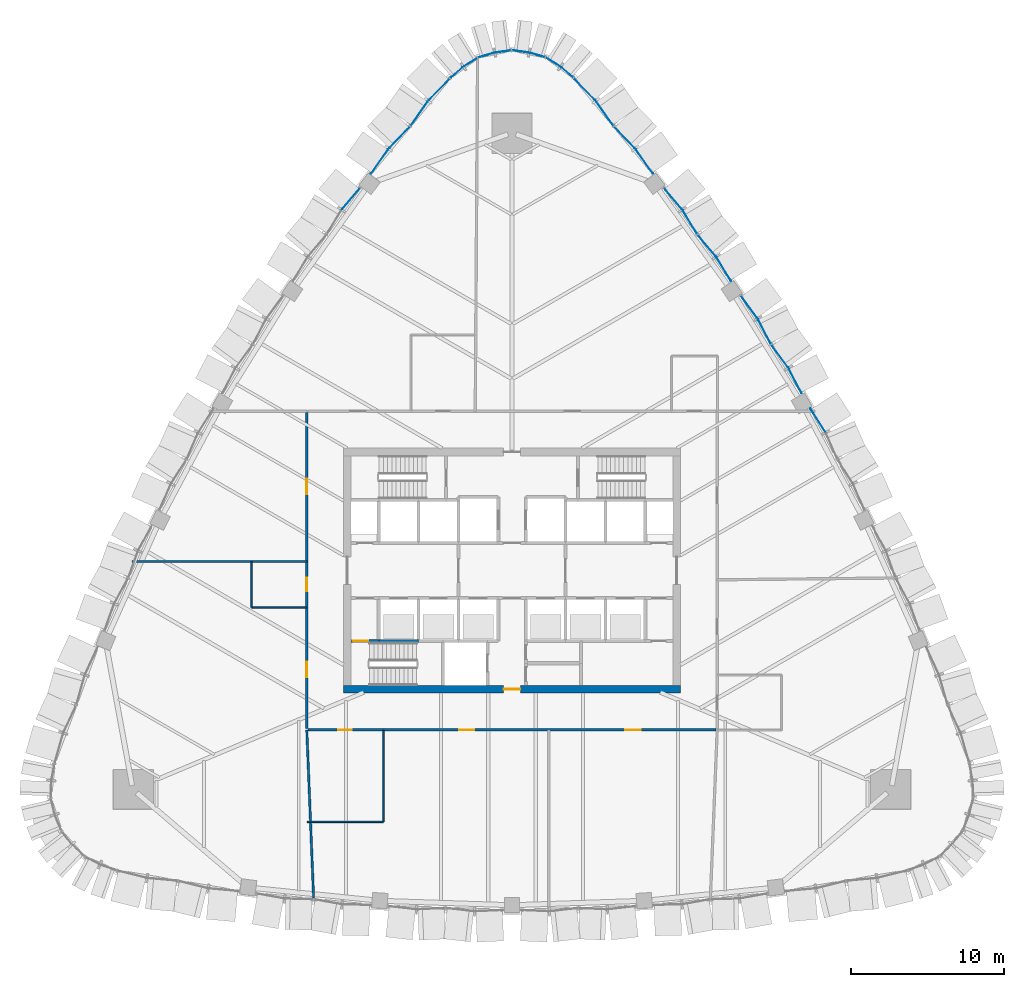
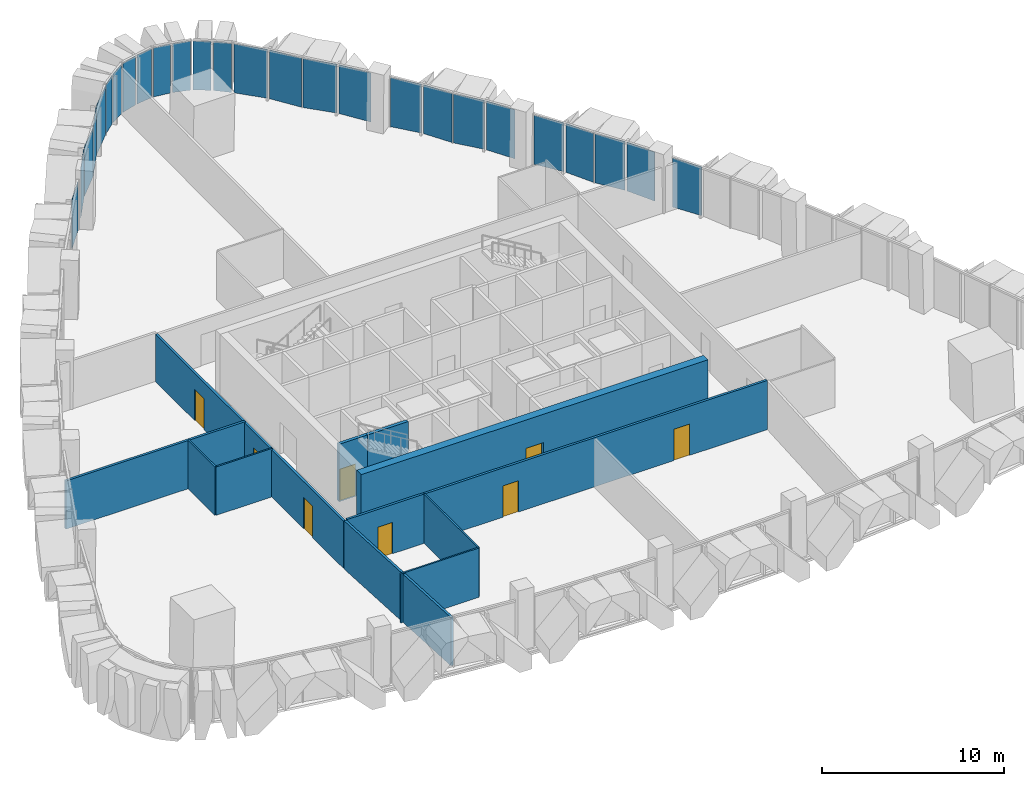
# One storey, part 11 of 18: 26 plates, 11 walls, 8 doors, 8 openings, 10 elements without a shape of their own.
"""IFC4 building model written with IfcOpenShell, lengths in metres."""

from ifc_helpers import new_model, si_unit, direction, frame, frame_2d, origin, place, context, subcontext, project, spatial, polyline, rectangle, outline, extrude, material, layer, layer_set, type_object, element, fill, aggregate, save


model = new_model("IFC4")

# Units and contexts
model_context = context("Model", 3, precision=1e-05, world=origin(), true_north=direction((0.0, 1.0)))
body_context = subcontext(model_context, "Body", "Model", "MODEL_VIEW")
ifc_project = project(units=[si_unit("LENGTHUNIT", "METRE"), si_unit("AREAUNIT", "SQUARE_METRE"), si_unit("VOLUMEUNIT", "CUBIC_METRE"), si_unit("PLANEANGLEUNIT", "RADIAN"), si_unit("MASSUNIT", "GRAM", prefix="KILO")], contexts=[model_context])

# Site, building, storey
site_placement = place(None, origin())
site = spatial("IfcSite", under=ifc_project, at=site_placement, CompositionType="ELEMENT")
building_placement = place(site_placement, origin())
building = spatial("IfcBuilding", under=site, at=building_placement, Name="Sierra Prisma Convention Tower", CompositionType="ELEMENT")
storey_placement = place(building_placement, frame((0.0, 0.0, 137.800048828125)))
storey = spatial("IfcBuildingStorey", under=building, at=storey_placement, Name="L29", CompositionType="ELEMENT", Elevation=137.800048828125)

# Curtain wall, plate
ifc_material_1 = material(Name="Aluminium and glass curtain wall", Category="aluminium")
ifc_layer_1 = layer(ifc_material_1, 0.179931640625)
ifc_layer_set_1 = layer_set([ifc_layer_1], Name="CW-2 Faceted crystal curtain wall")
curtain_wall_type = type_object("IfcCurtainWallType", Name="CW-2 Faceted crystal curtain wall", PredefinedType="NOTDEFINED", material=ifc_layer_set_1)
curtain_wall_1_placement = place(storey_placement, origin())
curtain_wall_1 = element("IfcCurtainWall", 1, at=curtain_wall_1_placement, inside=storey, type_object=curtain_wall_type, Name="CW-2 NE3 L29", PredefinedType="NOTDEFINED")
ifc_material_2 = material(Name="Tinted glass bronze-grey IGU", Category="glass")
ifc_layer_2 = layer(ifc_material_2, 0.028076171875)
ifc_layer_set_2 = layer_set([ifc_layer_2], Name="CW-2 crystal pane")
plate_type = type_object("IfcPlateType", Name="CW-2 crystal pane", PredefinedType="CURTAIN_PANEL", material=ifc_layer_set_2)
plate_1_placement = place(storey_placement, frame((19.492919921875, 10.596435546875, 0.0), z_axis=(0.84266723776, 0.538434700224, 0.0), x_axis=(0.538434700224, -0.84266723776, 0.0)))
plate_1 = element("IfcPlate", 2, at=plate_1_placement, type_object=plate_type, Name="CW-2 pane NE3.2.2", PredefinedType="CURTAIN_PANEL", context=body_context, shape_type="SweptSolid", body=[
    extrude(outline(polyline([(0.0, 0.0), (1.8023708055414207, 0.0), (1.8023708055414207, -3.280029296875), (0.0, -3.280029296875), (0.0, 0.0)])), origin(), (0.0, 0.0, -1.0), 0.028076171875),
])
aggregate(curtain_wall_1, [plate_1])

# Curtain wall, plates
curtain_wall_2_placement = place(storey_placement, origin())
curtain_wall_2 = element("IfcCurtainWall", 3, at=curtain_wall_2_placement, inside=storey, type_object=curtain_wall_type, Name="CW-2 NE4 L29", PredefinedType="NOTDEFINED")
plate_2_placement = place(storey_placement, frame((18.923095703125, 11.5830078125, 0.0), z_axis=(0.887664319648, 0.460491102655, 0.0), x_axis=(-0.460491102655, 0.887664319648, 0.0)))
plate_2 = element("IfcPlate", 4, at=plate_2_placement, type_object=plate_type, Name="CW-2 pane NE4.1.1", PredefinedType="CURTAIN_PANEL", context=body_context, shape_type="SweptSolid", body=[
    extrude(outline(polyline([(0.0, 0.0), (1.802593188476052, 0.0), (1.802593188476052, 3.280029296875), (0.0, 3.280029296875), (0.0, 0.0)])), origin(), (0.0, 0.0, -1.0), 0.028076171875),
])
plate_3_placement = place(storey_placement, frame((16.954345703125, 14.743408203125, 0.0), z_axis=(0.80464032763, 0.593762530943, 0.0), x_axis=(0.593762530943, -0.80464032763, 0.0)))
plate_3 = element("IfcPlate", 5, at=plate_3_placement, type_object=plate_type, Name="CW-2 pane NE4.1.2", PredefinedType="CURTAIN_PANEL", context=body_context, shape_type="SweptSolid", body=[
    extrude(outline(polyline([(0.0, 0.0), (1.8025935356695917, 0.0), (1.8025935356695917, -3.280029296875), (0.0, -3.280029296875), (0.0, 0.0)])), origin(), (0.0, 0.0, -1.0), 0.028076171875),
])
plate_4_placement = place(storey_placement, frame((16.91748046875, 14.802978515625, 0.0), z_axis=(0.887635594443, 0.460546470488, 0.0), x_axis=(-0.460546470488, 0.887635594443, 0.0)))
plate_4 = element("IfcPlate", 6, at=plate_4_placement, type_object=plate_type, Name="CW-2 pane NE4.2.1", PredefinedType="CURTAIN_PANEL", context=body_context, shape_type="SweptSolid", body=[
    extrude(outline(polyline([(0.0, 0.0), (1.8023764770605468, 0.0), (1.8023764770605468, 3.280029296875), (0.0, 3.280029296875), (0.0, 0.0)])), origin(), (0.0, 0.0, -1.0), 0.028076171875),
])
plate_5_placement = place(storey_placement, frame((14.94873046875, 17.96337890625, 0.0), z_axis=(0.804705035883, 0.59367483122, 0.0), x_axis=(0.59367483122, -0.804705035883, 0.0)))
plate_5 = element("IfcPlate", 7, at=plate_5_placement, type_object=plate_type, Name="CW-2 pane NE4.2.2", PredefinedType="CURTAIN_PANEL", context=body_context, shape_type="SweptSolid", body=[
    extrude(outline(polyline([(0.0, 0.0), (1.802448584819288, 0.0), (1.802448584819288, -3.280029296875), (0.0, -3.280029296875), (0.0, 0.0)])), origin(), (0.0, 0.0, -1.0), 0.028076171875),
])
aggregate(curtain_wall_2, [plate_2, plate_3, plate_4, plate_5])

curtain_wall_3_placement = place(storey_placement, origin())
curtain_wall_3 = element("IfcCurtainWall", 8, at=curtain_wall_3_placement, inside=storey, type_object=curtain_wall_type, Name="CW-2 NE5 L29", PredefinedType="NOTDEFINED")
plate_6_placement = place(storey_placement, frame((14.3076171875, 18.920166015625, 0.0), z_axis=(0.854841383406, 0.518889399792, 0.0), x_axis=(-0.518889399792, 0.854841383406, 0.0)))
plate_6 = element("IfcPlate", 9, at=plate_6_placement, type_object=plate_type, Name="CW-2 pane NE5.1.1", PredefinedType="CURTAIN_PANEL", context=body_context, shape_type="SweptSolid", body=[
    extrude(outline(polyline([(0.0, 0.0), (1.7949807507112405, 0.0), (1.7949807507112405, 3.280029296875), (0.0, 3.280029296875), (0.0, 0.0)])), origin(), (0.0, 0.0, -1.0), 0.028076171875),
])
plate_7_placement = place(storey_placement, frame((12.140625, 21.92919921875, 0.0), z_axis=(0.763112755323, 0.646265365515, 0.0), x_axis=(0.646265365515, -0.763112755323, 0.0)))
plate_7 = element("IfcPlate", 10, at=plate_7_placement, type_object=plate_type, Name="CW-2 pane NE5.1.2", PredefinedType="CURTAIN_PANEL", context=body_context, shape_type="SweptSolid", body=[
    extrude(outline(polyline([(0.0, 0.0), (1.7947923117481683, 0.0), (1.7947923117481683, -3.280029296875001), (0.0, -3.280029296875001), (0.0, 0.0)])), origin(), (0.0, 0.0, -1.0), 0.028076171875),
])
plate_8_placement = place(storey_placement, frame((12.099853515625, 21.986083984375, 0.0), z_axis=(0.854804756047, 0.518949736525, 0.0), x_axis=(-0.518949736525, 0.854804756047, 0.0)))
plate_8 = element("IfcPlate", 11, at=plate_8_placement, type_object=plate_type, Name="CW-2 pane NE5.2.1", PredefinedType="CURTAIN_PANEL", context=body_context, shape_type="SweptSolid", body=[
    extrude(outline(polyline([(0.0, 0.0), (1.7947720536724734, 0.0), (1.7947720536724734, 3.280029296875001), (0.0, 3.280029296875001), (0.0, 0.0)])), origin(), (0.0, 0.0, -1.0), 0.028076171875),
])
plate_9_placement = place(storey_placement, frame((9.932861328125, 24.9951171875, 0.0), z_axis=(0.763112755323, 0.646265365515, 0.0), x_axis=(0.646265365515, -0.763112755323, 0.0)))
plate_9 = element("IfcPlate", 12, at=plate_9_placement, type_object=plate_type, Name="CW-2 pane NE5.2.2", PredefinedType="CURTAIN_PANEL", context=body_context, shape_type="SweptSolid", body=[
    extrude(outline(polyline([(0.0, 0.0), (1.7947923117481683, 0.0), (1.7947923117481683, -3.280029296875001), (0.0, -3.280029296875001), (0.0, 0.0)])), origin(), (0.0, 0.0, -1.0), 0.028076171875),
])
aggregate(curtain_wall_3, [plate_6, plate_7, plate_8, plate_9])

curtain_wall_4_placement = place(storey_placement, origin())
curtain_wall_4 = element("IfcCurtainWall", 13, at=curtain_wall_4_placement, inside=storey, type_object=curtain_wall_type, Name="CW-2 NE6 L29", PredefinedType="NOTDEFINED")
plate_10_placement = place(storey_placement, frame((9.211181640625, 25.931884765625, 0.0), z_axis=(0.818143470413, 0.57501414054, 0.0), x_axis=(-0.57501414054, 0.818143470413, 0.0)))
plate_10 = element("IfcPlate", 14, at=plate_10_placement, type_object=plate_type, Name="CW-2 pane NE6.1.1", PredefinedType="CURTAIN_PANEL", context=body_context, shape_type="SweptSolid", body=[
    extrude(outline(polyline([(0.0, 0.0), (1.9309987080607742, 0.0), (1.9309987080607742, 3.280029296875), (0.0, 3.280029296875), (0.0, 0.0)])), origin(), (0.0, 0.0, -1.0), 0.028076171875),
])
plate_11_placement = place(storey_placement, frame((6.674560546875, 28.998291015625, 0.0), z_axis=(0.718145438355, 0.69589304449, 0.0), x_axis=(0.69589304449, -0.718145438355, 0.0)))
plate_11 = element("IfcPlate", 15, at=plate_11_placement, type_object=plate_type, Name="CW-2 pane NE6.1.2", PredefinedType="CURTAIN_PANEL", context=body_context, shape_type="SweptSolid", body=[
    extrude(outline(polyline([(0.0, 0.0), (1.930972023127617, 0.0), (1.930972023127617, -3.280029296875), (0.0, -3.280029296875), (0.0, 0.0)])), origin(), (0.0, 0.0, -1.0), 0.028076171875),
])
plate_12_placement = place(storey_placement, frame((6.6298828125, 29.05224609375, 0.0), z_axis=(0.818143470413, 0.57501414054, 0.0), x_axis=(-0.57501414054, 0.818143470413, 0.0)))
plate_12 = element("IfcPlate", 16, at=plate_12_placement, type_object=plate_type, Name="CW-2 pane NE6.2.1", PredefinedType="CURTAIN_PANEL", context=body_context, shape_type="SweptSolid", body=[
    extrude(outline(polyline([(0.0, 0.0), (1.9309987080607742, 0.0), (1.9309987080607742, 3.280029296875), (0.0, 3.280029296875), (0.0, 0.0)])), origin(), (0.0, 0.0, -1.0), 0.028076171875),
])
plate_13_placement = place(storey_placement, frame((4.093017578125, 32.11865234375, 0.0), z_axis=(0.718082255229, 0.695958242084, 0.0), x_axis=(0.695958242084, -0.718082255229, 0.0)))
plate_13 = element("IfcPlate", 17, at=plate_13_placement, type_object=plate_type, Name="CW-2 pane NE6.2.2", PredefinedType="CURTAIN_PANEL", context=body_context, shape_type="SweptSolid", body=[
    extrude(outline(polyline([(0.0, 0.0), (1.931141926849473, 0.0), (1.931141926849473, -3.280029296875), (0.0, -3.280029296875), (0.0, 0.0)])), origin(), (0.0, 0.0, -1.0), 0.028076171875),
])
aggregate(curtain_wall_4, [plate_10, plate_11, plate_12, plate_13])

curtain_wall_5_placement = place(storey_placement, origin())
curtain_wall_5 = element("IfcCurtainWall", 18, at=curtain_wall_5_placement, inside=storey, type_object=curtain_wall_type, Name="CW-2 N1 L29", PredefinedType="NOTDEFINED")
plate_14_placement = place(storey_placement, frame((3.9921875, 32.214111328125, 0.0), z_axis=(0.654170740155, 0.756346906337, 0.0), x_axis=(-0.756346906337, 0.654170740155, 0.0)))
plate_14 = element("IfcPlate", 19, at=plate_14_placement, type_object=plate_type, Name="CW-2 pane N1.1.1", PredefinedType="CURTAIN_PANEL", context=body_context, shape_type="SweptSolid", body=[
    extrude(outline(polyline([(0.0, 0.0), (1.003551672870488, 0.0), (1.003551672870488, 3.280029296875), (0.0, 3.280029296875), (0.0, 0.0)])), origin(), (0.0, 0.0, -1.0), 0.028076171875),
])
plate_15_placement = place(storey_placement, frame((2.2763671875, 33.47705078125, 0.0), z_axis=(0.527744380763, 0.84940324262, 0.0), x_axis=(0.84940324262, -0.527744380763, 0.0)))
plate_15 = element("IfcPlate", 20, at=plate_15_placement, type_object=plate_type, Name="CW-2 pane N1.1.2", PredefinedType="CURTAIN_PANEL", context=body_context, shape_type="SweptSolid", body=[
    extrude(outline(polyline([(0.0, 0.0), (1.0034043656886633, 0.0), (1.0034043656886633, -3.280029296875), (0.0, -3.280029296875), (0.0, 0.0)])), origin(), (0.0, 0.0, -1.0), 0.028076171875),
])
aggregate(curtain_wall_5, [plate_14, plate_15])

curtain_wall_6_placement = place(storey_placement, origin())
curtain_wall_6 = element("IfcCurtainWall", 21, at=curtain_wall_6_placement, inside=storey, type_object=curtain_wall_type, Name="CW-2 N2 L29", PredefinedType="NOTDEFINED")
plate_16_placement = place(storey_placement, frame((2.151611328125, 33.533447265625, 0.0), z_axis=(0.285852154203, 0.958273732259, 0.0), x_axis=(-0.958273732259, 0.285852154203, 0.0)))
plate_16 = element("IfcPlate", 22, at=plate_16_placement, type_object=plate_type, Name="CW-2 pane N2.1.1", PredefinedType="CURTAIN_PANEL", context=body_context, shape_type="SweptSolid", body=[
    extrude(outline(polyline([(0.0, 0.0), (1.0035440704483747, 0.0), (1.0035440704483747, 3.280029296875), (0.0, 3.280029296875), (0.0, 0.0)])), origin(), (0.0, 0.0, -1.0), 0.028076171875),
])
plate_17_placement = place(storey_placement, frame((0.068359375, 33.980712890625, 0.0), z_axis=(0.132562016831, 0.991174713002, 0.0), x_axis=(0.991174713002, -0.132562016831, 0.0)))
plate_17 = element("IfcPlate", 23, at=plate_17_placement, type_object=plate_type, Name="CW-2 pane N2.1.2", PredefinedType="CURTAIN_PANEL", context=body_context, shape_type="SweptSolid", body=[
    extrude(outline(polyline([(0.0, 0.0), (1.0037312633433095, 0.0), (1.0037312633433095, -3.280029296875), (0.0, -3.280029296875), (0.0, 0.0)])), origin(), (0.0, 0.0, -1.0), 0.028076171875),
])
aggregate(curtain_wall_6, [plate_16, plate_17])

curtain_wall_7_placement = place(storey_placement, origin())
curtain_wall_7 = element("IfcCurtainWall", 24, at=curtain_wall_7_placement, inside=storey, type_object=curtain_wall_type, Name="CW-2 N3 L29", PredefinedType="NOTDEFINED")
plate_18_placement = place(storey_placement, frame((-0.068359375, 33.980712890625, 0.0), z_axis=(-0.132562016831, 0.991174713002, 0.0), x_axis=(-0.991174713002, -0.132562016831, 0.0)))
plate_18 = element("IfcPlate", 25, at=plate_18_placement, type_object=plate_type, Name="CW-2 pane N3.1.1", PredefinedType="CURTAIN_PANEL", context=body_context, shape_type="SweptSolid", body=[
    extrude(outline(polyline([(0.0, 0.0), (1.0037312633433095, 0.0), (1.0037312633433095, 3.280029296875), (0.0, 3.280029296875), (0.0, 0.0)])), origin(), (0.0, 0.0, -1.0), 0.028076171875),
])
plate_19_placement = place(storey_placement, frame((-2.151611328125, 33.533447265625, 0.0), z_axis=(-0.285852154203, 0.958273732259, 0.0), x_axis=(0.958273732259, 0.285852154203, 0.0)))
plate_19 = element("IfcPlate", 26, at=plate_19_placement, type_object=plate_type, Name="CW-2 pane N3.1.2", PredefinedType="CURTAIN_PANEL", context=body_context, shape_type="SweptSolid", body=[
    extrude(outline(polyline([(0.0, 0.0), (1.0035440704483747, 0.0), (1.0035440704483747, -3.280029296875), (0.0, -3.280029296875), (0.0, 0.0)])), origin(), (0.0, 0.0, -1.0), 0.028076171875),
])
aggregate(curtain_wall_7, [plate_18, plate_19])

curtain_wall_8_placement = place(storey_placement, origin())
curtain_wall_8 = element("IfcCurtainWall", 27, at=curtain_wall_8_placement, inside=storey, type_object=curtain_wall_type, Name="CW-2 N4 L29", PredefinedType="NOTDEFINED")
plate_20_placement = place(storey_placement, frame((-2.2763671875, 33.47705078125, 0.0), z_axis=(-0.527744380763, 0.84940324262, 0.0), x_axis=(-0.84940324262, -0.527744380763, 0.0)))
plate_20 = element("IfcPlate", 28, at=plate_20_placement, type_object=plate_type, Name="CW-2 pane N4.1.1", PredefinedType="CURTAIN_PANEL", context=body_context, shape_type="SweptSolid", body=[
    extrude(outline(polyline([(0.0, 0.0), (1.0034043656886633, 0.0), (1.0034043656886633, 3.280029296875), (0.0, 3.280029296875), (0.0, 0.0)])), origin(), (0.0, 0.0, -1.0), 0.028076171875),
])
plate_21_placement = place(storey_placement, frame((-3.9921875, 32.214111328125, 0.0), z_axis=(-0.654170740155, 0.756346906337, 0.0), x_axis=(0.756346906337, 0.654170740155, 0.0)))
plate_21 = element("IfcPlate", 29, at=plate_21_placement, type_object=plate_type, Name="CW-2 pane N4.1.2", PredefinedType="CURTAIN_PANEL", context=body_context, shape_type="SweptSolid", body=[
    extrude(outline(polyline([(0.0, 0.0), (1.003551672870488, 0.0), (1.003551672870488, -3.280029296875), (0.0, -3.280029296875), (0.0, 0.0)])), origin(), (0.0, 0.0, -1.0), 0.028076171875),
])
aggregate(curtain_wall_8, [plate_20, plate_21])

curtain_wall_9_placement = place(storey_placement, origin())
curtain_wall_9 = element("IfcCurtainWall", 30, at=curtain_wall_9_placement, inside=storey, type_object=curtain_wall_type, Name="CW-2 NW1 L29", PredefinedType="NOTDEFINED")
plate_22_placement = place(storey_placement, frame((-4.093017578125, 32.11865234375, 0.0), z_axis=(-0.718082255229, 0.695958242084, 0.0), x_axis=(-0.695958242084, -0.718082255229, 0.0)))
plate_22 = element("IfcPlate", 31, at=plate_22_placement, type_object=plate_type, Name="CW-2 pane NW1.1.1", PredefinedType="CURTAIN_PANEL", context=body_context, shape_type="SweptSolid", body=[
    extrude(outline(polyline([(0.0, 0.0), (1.931141926849473, 0.0), (1.931141926849473, 3.280029296875), (0.0, 3.280029296875), (0.0, 0.0)])), origin(), (0.0, 0.0, -1.0), 0.028076171875),
])
plate_23_placement = place(storey_placement, frame((-6.6298828125, 29.05224609375, 0.0), z_axis=(-0.818143470413, 0.57501414054, 0.0), x_axis=(0.57501414054, 0.818143470413, 0.0)))
plate_23 = element("IfcPlate", 32, at=plate_23_placement, type_object=plate_type, Name="CW-2 pane NW1.1.2", PredefinedType="CURTAIN_PANEL", context=body_context, shape_type="SweptSolid", body=[
    extrude(outline(polyline([(0.0, 0.0), (1.9309987080607742, 0.0), (1.9309987080607742, -3.280029296875), (0.0, -3.280029296875), (0.0, 0.0)])), origin(), (0.0, 0.0, -1.0), 0.028076171875),
])
plate_24_placement = place(storey_placement, frame((-6.674560546875, 28.998291015625, 0.0), z_axis=(-0.718145438355, 0.69589304449, 0.0), x_axis=(-0.69589304449, -0.718145438355, 0.0)))
plate_24 = element("IfcPlate", 33, at=plate_24_placement, type_object=plate_type, Name="CW-2 pane NW1.2.1", PredefinedType="CURTAIN_PANEL", context=body_context, shape_type="SweptSolid", body=[
    extrude(outline(polyline([(0.0, 0.0), (1.930972023127617, 0.0), (1.930972023127617, 3.280029296875), (0.0, 3.280029296875), (0.0, 0.0)])), origin(), (0.0, 0.0, -1.0), 0.028076171875),
])
plate_25_placement = place(storey_placement, frame((-9.211181640625, 25.931884765625, 0.0), z_axis=(-0.818143470413, 0.57501414054, 0.0), x_axis=(0.57501414054, 0.818143470413, 0.0)))
plate_25 = element("IfcPlate", 34, at=plate_25_placement, type_object=plate_type, Name="CW-2 pane NW1.2.2", PredefinedType="CURTAIN_PANEL", context=body_context, shape_type="SweptSolid", body=[
    extrude(outline(polyline([(0.0, 0.0), (1.9309987080607742, 0.0), (1.9309987080607742, -3.280029296875), (0.0, -3.280029296875), (0.0, 0.0)])), origin(), (0.0, 0.0, -1.0), 0.028076171875),
])
aggregate(curtain_wall_9, [plate_22, plate_23, plate_24, plate_25])

# Curtain wall, plate
curtain_wall_10_placement = place(storey_placement, origin())
curtain_wall_10 = element("IfcCurtainWall", 35, at=curtain_wall_10_placement, inside=storey, type_object=curtain_wall_type, Name="CW-2 NW2 L29", PredefinedType="NOTDEFINED")
plate_26_placement = place(storey_placement, frame((-9.933837890625, 24.99365234375, 0.0), z_axis=(-0.763123029213, 0.646253233868, 0.0), x_axis=(-0.646253233868, -0.763123029213, 0.0)))
plate_26 = element("IfcPlate", 36, at=plate_26_placement, type_object=plate_type, Name="CW-2 pane NW2.1.1", PredefinedType="CURTAIN_PANEL", context=body_context, shape_type="SweptSolid", body=[
    extrude(outline(polyline([(0.0, 0.0), (1.7944482255196408, 0.0), (1.7944482255196408, 3.280029296875), (0.0, 3.280029296875), (0.0, 0.0)])), origin(), (0.0, 0.0, -1.0), 0.028076171875),
])
aggregate(curtain_wall_10, [plate_26])

# Walls
ifc_material_3 = material(Name="Gypsum board partition", Category="gypsum")
ifc_layer_3 = layer(ifc_material_3, 0.10009765625)
ifc_layer_set_3 = layer_set([ifc_layer_3], Name="Bathroom partition 100")
wall_type_1 = type_object("IfcWallType", Name="Bathroom partition 100", PredefinedType="PARTITIONING", material=ifc_layer_set_3)
wall_1_placement = place(storey_placement, frame((-13.429931640625, -2.39990234375, 0.0), z_axis=(0.0, 0.0, 1.0), x_axis=(-1.0, 0.0, 0.0)))
element("IfcWall", 37, at=wall_1_placement, inside=storey, type_object=wall_type_1, Name="Partition L29 bath 1", PredefinedType="PARTITIONING", context=body_context, shape_type="SweptSolid", body=[
    extrude(rectangle(XDim=3.570068359375, YDim=0.10009765625, at=frame_2d((1.78515625, 0.0))), origin(), (0.0, 0.0, 1.0), 3.2470703125),
])
wall_2_placement = place(storey_placement, frame((-17.0, -2.39990234375, 0.0), z_axis=(0.0, 0.0, 1.0), x_axis=(0.0, 1.0, 0.0)))
element("IfcWall", 38, at=wall_2_placement, inside=storey, type_object=wall_type_1, Name="Partition L29 bath 2", PredefinedType="PARTITIONING", context=body_context, shape_type="SweptSolid", body=[
    extrude(rectangle(XDim=2.969970703125, YDim=0.10009765625, at=frame_2d((1.48486328125, 0.0))), origin(), (0.0, 0.0, 1.0), 3.2470703125),
])
wall_3_placement = place(storey_placement, frame((-8.39990234375, -10.429931640625, 0.0), z_axis=(0.0, 0.0, 1.0), x_axis=(0.0, -1.0, 0.0)))
element("IfcWall", 39, at=wall_3_placement, inside=storey, type_object=wall_type_1, Name="Partition L29 bath 3", PredefinedType="PARTITIONING", context=body_context, shape_type="SweptSolid", body=[
    extrude(rectangle(XDim=5.969970703125, YDim=0.10009765625, at=frame_2d((2.98486328125, 0.0))), origin(), (0.0, 0.0, 1.0), 3.300048828125),
])
wall_4_placement = place(storey_placement, frame((-8.39990234375, -16.39990234375, 0.0), z_axis=(0.0, 0.0, 1.0), x_axis=(-1.0, 0.0, 0.0)))
element("IfcWall", 40, at=wall_4_placement, inside=storey, type_object=wall_type_1, Name="Partition L29 bath 4", PredefinedType="PARTITIONING", context=body_context, shape_type="SweptSolid", body=[
    extrude(rectangle(XDim=4.97021484375, YDim=0.10009765625, at=frame_2d((2.485107421875, 0.0))), origin(), (0.0, 0.0, 1.0), 3.300048828125),
])

# Wall, opening, door
ifc_material_4 = material(Name="Concrete C30/37", Category="concrete")
ifc_layer_4 = layer(ifc_material_4, 0.199951171875)
ifc_layer_set_4 = layer_set([ifc_layer_4], Name="Core wall RC 200 C30/37")
wall_type_2 = type_object("IfcWallType", Name="Core wall RC 200 C30/37", PredefinedType="SOLIDWALL", material=ifc_layer_set_4)
wall_5_placement = place(storey_placement, frame((-10.5, -4.60009765625, 0.0), z_axis=(0.0, 0.0, 1.0), x_axis=(1.0, 0.0, 0.0)))
wall_5 = element("IfcWall", 41, at=wall_5_placement, inside=storey, type_object=wall_type_2, Name="Core wall L29 1", PredefinedType="SOLIDWALL", context=body_context, shape_type="SweptSolid", body=[
    extrude(rectangle(XDim=1.800048828125, YDim=0.199951171875, at=frame_2d((0.89990234375, 0.0))), origin(), (0.0, 0.0, 1.0), 3.849853515625),
])
opening_1_placement = place(wall_5_placement, frame((0.10009765625, 0.0, 0.0)))
opening_1 = element("IfcOpeningElement", 42, at=opening_1_placement, cuts=wall_5, Name="Opening L29-D017", PredefinedType="OPENING", context=body_context, shape_type="SweptSolid", body=[
    extrude(rectangle(XDim=1.0, YDim=2.10009765625, at=frame_2d((0.5, 1.050048828125))), frame((0.0, 0.10009765625, 0.0), z_axis=(0.0, -1.0, 0.0), x_axis=(1.0, 0.0, 0.0)), (0.0, 0.0, 1.0), 0.199951171875),
])
ifc_material_5 = material(Name="Steel fire door leaf", Category="steel")
door_type_1 = type_object("IfcDoorType", Name="Door 1000x2100 FD90S", OperationType="SINGLE_SWING_LEFT", PredefinedType="DOOR", material=ifc_material_5)
door_1_placement = place(opening_1_placement, origin())
door_1 = element("IfcDoor", 43, at=door_1_placement, inside=storey, type_object=door_type_1, Name="Door L29 30", OperationType="SINGLE_SWING_LEFT", OverallHeight=2.10009765625, OverallWidth=1.0, PredefinedType="DOOR", context=body_context, shape_type="SweptSolid", body=[
    extrude(rectangle(XDim=1.0, YDim=2.10009765625, at=frame_2d((0.5, 1.050048828125))), frame((0.0, 0.02490234375, 0.0), z_axis=(0.0, -1.0, 0.0), x_axis=(1.0, 0.0, 0.0)), (0.0, 0.0, 1.0), 0.050048828125),
])
fill(opening_1, door_1)

# Wall
wall_6_placement = place(storey_placement, frame((-8.699951171875, -4.60009765625, 0.0), z_axis=(0.0, 0.0, 1.0), x_axis=(1.0, 0.0, 0.0)))
element("IfcWall", 44, at=wall_6_placement, inside=storey, type_object=wall_type_2, Name="Core wall L29 5", PredefinedType="SOLIDWALL", context=body_context, shape_type="SweptSolid", body=[
    extrude(rectangle(XDim=2.599853515625, YDim=0.199951171875, at=frame_2d((1.2998046875, 0.0))), origin(), (0.0, 0.0, 1.0), 3.849853515625),
])

# Wall, opening, door
ifc_material_6 = material(Name="Concrete C60/75", Category="concrete")
ifc_layer_5 = layer(ifc_material_6, 0.5)
ifc_layer_set_5 = layer_set([ifc_layer_5], Name="Core wall RC 500 C60/75")
wall_type_3 = type_object("IfcWallType", Name="Core wall RC 500 C60/75", PredefinedType="SHEAR", material=ifc_layer_set_5)
wall_7_placement = place(storey_placement, frame((-11.0, -7.75, 0.0), z_axis=(0.0, 0.0, 1.0), x_axis=(1.0, 0.0, 0.0)))
wall_7 = element("IfcWall", 45, at=wall_7_placement, inside=storey, type_object=wall_type_3, Name="Core wall S L29", PredefinedType="SHEAR", context=body_context, shape_type="SweptSolid", body=[
    extrude(rectangle(XDim=22.0, YDim=0.5, at=frame_2d((11.0, 0.0))), origin(), (0.0, 0.0, 1.0), 4.0),
])
opening_2_placement = place(wall_7_placement, frame((10.449951171875, 0.0, 0.0)))
opening_2 = element("IfcOpeningElement", 46, at=opening_2_placement, cuts=wall_7, Name="Opening L29-D039", PredefinedType="OPENING", context=body_context, shape_type="SweptSolid", body=[
    extrude(rectangle(XDim=1.10009765625, YDim=2.10009765625, at=frame_2d((0.550048828125, 1.050048828125))), frame((0.0, 0.25, 0.0), z_axis=(0.0, -1.0, 0.0), x_axis=(1.0, 0.0, 0.0)), (0.0, 0.0, 1.0), 0.5),
])
ifc_material_7 = material(Name="Steel fire door leaf", Category="steel")
door_type_2 = type_object("IfcDoorType", Name="Door 1100x2100 FD30S", OperationType="SINGLE_SWING_LEFT", PredefinedType="DOOR", material=ifc_material_7)
door_2_placement = place(opening_2_placement, origin())
door_2 = element("IfcDoor", 47, at=door_2_placement, inside=storey, type_object=door_type_2, Name="Door L29 40", OperationType="SINGLE_SWING_RIGHT", OverallHeight=2.10009765625, OverallWidth=1.10009765625, PredefinedType="DOOR", context=body_context, shape_type="SweptSolid", body=[
    extrude(rectangle(XDim=1.10009765625, YDim=2.10009765625, at=frame_2d((0.550048828125, 1.050048828125))), frame((0.0, 0.02490234375, 0.0), z_axis=(0.0, -1.0, 0.0), x_axis=(1.0, 0.0, 0.0)), (0.0, 0.0, 1.0), 0.050048828125),
])
fill(opening_2, door_2)

# Wall, openings, doors
ifc_material_8 = material(Name="Gypsum board partition", Category="gypsum")
ifc_layer_6 = layer(ifc_material_8, 0.14990234375)
ifc_layer_set_6 = layer_set([ifc_layer_6], Name="Corridor wall 150 gypsum EI 60")
wall_type_4 = type_object("IfcWallType", Name="Corridor wall 150 gypsum EI 60", PredefinedType="PARTITIONING", material=ifc_layer_set_6)
wall_8_placement = place(storey_placement, frame((-13.39990234375, 10.320068359375, 0.0), z_axis=(0.0, 0.0, 1.0), x_axis=(0.0, -1.0, 0.0)))
wall_8 = element("IfcWall", 48, at=wall_8_placement, inside=storey, type_object=wall_type_4, Name="Partition L29 corr 1", PredefinedType="PARTITIONING", context=body_context, shape_type="SweptSolid", body=[
    extrude(rectangle(XDim=20.64013671875, YDim=0.14990234375, at=frame_2d((10.320068359375, 0.0))), origin(), (0.0, 0.0, 1.0), 3.166015625),
])
opening_3_placement = place(wall_8_placement, frame((4.320068359375, 0.0, 0.0)))
opening_3 = element("IfcOpeningElement", 49, at=opening_3_placement, cuts=wall_8, Name="Opening L29-D029", PredefinedType="OPENING", context=body_context, shape_type="SweptSolid", body=[
    extrude(rectangle(XDim=1.0, YDim=2.10009765625, at=frame_2d((0.5, 1.050048828125))), frame((0.0, 0.074951171875, 0.0), z_axis=(0.0, -1.0, 0.0), x_axis=(1.0, 0.0, 0.0)), (0.0, 0.0, 1.0), 0.14990234375),
])
opening_4_placement = place(wall_8_placement, frame((10.77001953125, 0.0, 0.0)))
opening_4 = element("IfcOpeningElement", 50, at=opening_4_placement, cuts=wall_8, Name="Opening L29-D030", PredefinedType="OPENING", context=body_context, shape_type="SweptSolid", body=[
    extrude(rectangle(XDim=0.89990234375, YDim=2.10009765625, at=frame_2d((0.449951171875, 1.050048828125))), frame((0.0, 0.074951171875, 0.0), z_axis=(0.0, -1.0, 0.0), x_axis=(1.0, 0.0, 0.0)), (0.0, 0.0, 1.0), 0.14990234375),
])
opening_5_placement = place(wall_8_placement, frame((16.280029296875, 0.0, 0.0)))
opening_5 = element("IfcOpeningElement", 51, at=opening_5_placement, cuts=wall_8, Name="Opening L29-D031", PredefinedType="OPENING", context=body_context, shape_type="SweptSolid", body=[
    extrude(rectangle(XDim=1.0, YDim=2.10009765625, at=frame_2d((0.5, 1.050048828125))), frame((0.0, 0.074951171875, 0.0), z_axis=(0.0, -1.0, 0.0), x_axis=(1.0, 0.0, 0.0)), (0.0, 0.0, 1.0), 0.14990234375),
])
ifc_material_9 = material(Name="Steel fire door leaf", Category="steel")
door_type_3 = type_object("IfcDoorType", Name="Door 1000x2100 FD30S", OperationType="SINGLE_SWING_LEFT", PredefinedType="DOOR", material=ifc_material_9)
door_3_placement = place(opening_3_placement, origin())
door_3 = element("IfcDoor", 52, at=door_3_placement, inside=storey, type_object=door_type_3, Name="Door L29 6", OperationType="SINGLE_SWING_LEFT", OverallHeight=2.10009765625, OverallWidth=1.0, PredefinedType="DOOR", context=body_context, shape_type="SweptSolid", body=[
    extrude(rectangle(XDim=1.0, YDim=2.10009765625, at=frame_2d((0.5, 1.050048828125))), frame((0.0, 0.02490234375, 0.0), z_axis=(0.0, -1.0, 0.0), x_axis=(1.0, 0.0, 0.0)), (0.0, 0.0, 1.0), 0.050048828125),
])
fill(opening_3, door_3)
door_4_placement = place(opening_5_placement, origin())
door_4 = element("IfcDoor", 53, at=door_4_placement, inside=storey, type_object=door_type_3, Name="Door L29 8", OperationType="SINGLE_SWING_RIGHT", OverallHeight=2.10009765625, OverallWidth=1.0, PredefinedType="DOOR", context=body_context, shape_type="SweptSolid", body=[
    extrude(rectangle(XDim=1.0, YDim=2.10009765625, at=frame_2d((0.5, 1.050048828125))), frame((0.0, 0.02490234375, 0.0), z_axis=(0.0, -1.0, 0.0), x_axis=(1.0, 0.0, 0.0)), (0.0, 0.0, 1.0), 0.050048828125),
])
fill(opening_5, door_4)
ifc_material_10 = material(Name="Steel fire door leaf", Category="steel")
door_type_4 = type_object("IfcDoorType", Name="Door 900x2100 FD30S", OperationType="SINGLE_SWING_LEFT", PredefinedType="DOOR", material=ifc_material_10)
door_5_placement = place(opening_4_placement, origin())
door_5 = element("IfcDoor", 54, at=door_5_placement, inside=storey, type_object=door_type_4, Name="Door L29 7", OperationType="SINGLE_SWING_LEFT", OverallHeight=2.10009765625, OverallWidth=0.89990234375, PredefinedType="DOOR", context=body_context, shape_type="SweptSolid", body=[
    extrude(rectangle(XDim=0.89990234375, YDim=2.10009765625, at=frame_2d((0.449951171875, 1.050048828125))), frame((0.0, 0.02490234375, 0.0), z_axis=(0.0, -1.0, 0.0), x_axis=(1.0, 0.0, 0.0)), (0.0, 0.0, 1.0), 0.050048828125),
])
fill(opening_4, door_5)

wall_9_placement = place(storey_placement, frame((-13.320068359375, -10.39990234375, 0.0), z_axis=(0.0, 0.0, 1.0), x_axis=(1.0, 0.0, 0.0)))
wall_9 = element("IfcWall", 55, at=wall_9_placement, inside=storey, type_object=wall_type_4, Name="Partition L29 corr 2", PredefinedType="PARTITIONING", context=body_context, shape_type="SweptSolid", body=[
    extrude(rectangle(XDim=26.64013671875, YDim=0.14990234375, at=frame_2d((13.320068359375, 0.0))), origin(), (0.0, 0.0, 1.0), 3.300048828125),
])
opening_6_placement = place(wall_9_placement, frame((1.969970703125, 0.0, 0.0)))
opening_6 = element("IfcOpeningElement", 56, at=opening_6_placement, cuts=wall_9, Name="Opening L29-D032", PredefinedType="OPENING", context=body_context, shape_type="SweptSolid", body=[
    extrude(rectangle(XDim=0.89990234375, YDim=2.10009765625, at=frame_2d((0.449951171875, 1.050048828125))), frame((0.0, 0.074951171875, 0.0), z_axis=(0.0, -1.0, 0.0), x_axis=(1.0, 0.0, 0.0)), (0.0, 0.0, 1.0), 0.14990234375),
])
opening_7_placement = place(wall_9_placement, frame((9.8701171875, 0.0, 0.0)))
opening_7 = element("IfcOpeningElement", 57, at=opening_7_placement, cuts=wall_9, Name="Opening L29-D033", PredefinedType="OPENING", context=body_context, shape_type="SweptSolid", body=[
    extrude(rectangle(XDim=1.0, YDim=2.10009765625, at=frame_2d((0.5, 1.050048828125))), frame((0.0, 0.074951171875, 0.0), z_axis=(0.0, -1.0, 0.0), x_axis=(1.0, 0.0, 0.0)), (0.0, 0.0, 1.0), 0.14990234375),
])
opening_8_placement = place(wall_9_placement, frame((20.719970703125, 0.0, 0.0)))
opening_8 = element("IfcOpeningElement", 58, at=opening_8_placement, cuts=wall_9, Name="Opening L29-D034", PredefinedType="OPENING", context=body_context, shape_type="SweptSolid", body=[
    extrude(rectangle(XDim=1.0, YDim=2.10009765625, at=frame_2d((0.5, 1.050048828125))), frame((0.0, 0.074951171875, 0.0), z_axis=(0.0, -1.0, 0.0), x_axis=(1.0, 0.0, 0.0)), (0.0, 0.0, 1.0), 0.14990234375),
])
door_6_placement = place(opening_7_placement, origin())
door_6 = element("IfcDoor", 59, at=door_6_placement, inside=storey, type_object=door_type_3, Name="Door L29 10", OperationType="SINGLE_SWING_RIGHT", OverallHeight=2.10009765625, OverallWidth=1.0, PredefinedType="DOOR", context=body_context, shape_type="SweptSolid", body=[
    extrude(rectangle(XDim=1.0, YDim=2.10009765625, at=frame_2d((0.5, 1.050048828125))), frame((0.0, 0.02490234375, 0.0), z_axis=(0.0, -1.0, 0.0), x_axis=(1.0, 0.0, 0.0)), (0.0, 0.0, 1.0), 0.050048828125),
])
fill(opening_7, door_6)
door_7_placement = place(opening_8_placement, origin())
door_7 = element("IfcDoor", 60, at=door_7_placement, inside=storey, type_object=door_type_3, Name="Door L29 11", OperationType="SINGLE_SWING_RIGHT", OverallHeight=2.10009765625, OverallWidth=1.0, PredefinedType="DOOR", context=body_context, shape_type="SweptSolid", body=[
    extrude(rectangle(XDim=1.0, YDim=2.10009765625, at=frame_2d((0.5, 1.050048828125))), frame((0.0, 0.02490234375, 0.0), z_axis=(0.0, -1.0, 0.0), x_axis=(1.0, 0.0, 0.0)), (0.0, 0.0, 1.0), 0.050048828125),
])
fill(opening_8, door_7)
door_8_placement = place(opening_6_placement, origin())
door_8 = element("IfcDoor", 61, at=door_8_placement, inside=storey, type_object=door_type_4, Name="Door L29 9", OperationType="SINGLE_SWING_RIGHT", OverallHeight=2.10009765625, OverallWidth=0.89990234375, PredefinedType="DOOR", context=body_context, shape_type="SweptSolid", body=[
    extrude(rectangle(XDim=0.89990234375, YDim=2.10009765625, at=frame_2d((0.449951171875, 1.050048828125))), frame((0.0, 0.02490234375, 0.0), z_axis=(0.0, -1.0, 0.0), x_axis=(1.0, 0.0, 0.0)), (0.0, 0.0, 1.0), 0.050048828125),
])
fill(opening_6, door_8)

# Walls
ifc_material_11 = material(Name="Gypsum board partition", Category="gypsum")
ifc_layer_7 = layer(ifc_material_11, 0.14990234375)
ifc_layer_set_7 = layer_set([ifc_layer_7], Name="Party wall 150 gypsum")
wall_type_5 = type_object("IfcWallType", Name="Party wall 150 gypsum", PredefinedType="PARTITIONING", material=ifc_layer_set_7)
wall_10_placement = place(storey_placement, frame((-13.39990234375, 0.60009765625, 0.0), z_axis=(0.0, 0.0, 1.0), x_axis=(-1.0, 0.0, 0.0)))
element("IfcWall", 62, at=wall_10_placement, inside=storey, type_object=wall_type_5, Name="Partition L29 party 1", PredefinedType="PARTITIONING", context=body_context, shape_type="SweptSolid", body=[
    extrude(rectangle(XDim=11.402099609375, YDim=0.14990234375, at=frame_2d((5.701171875, 0.0))), origin(), (0.0, 0.0, 1.0), 3.23388671875),
])
wall_11_placement = place(storey_placement, frame((-13.39990234375, -10.39990234375, 0.0), z_axis=(0.0, 0.0, 1.0), x_axis=(0.040518361505, -0.999178794001, 0.0)))
element("IfcWall", 63, at=wall_11_placement, inside=storey, type_object=wall_type_5, Name="Partition L29 party 3", PredefinedType="PARTITIONING", context=body_context, shape_type="SweptSolid", body=[
    extrude(rectangle(XDim=10.984375, YDim=0.14990234375, at=frame_2d((5.4921875, 0.0))), origin(), (0.0, 0.0, 1.0), 3.23388671875),
])

save(model, "model.ifc")
